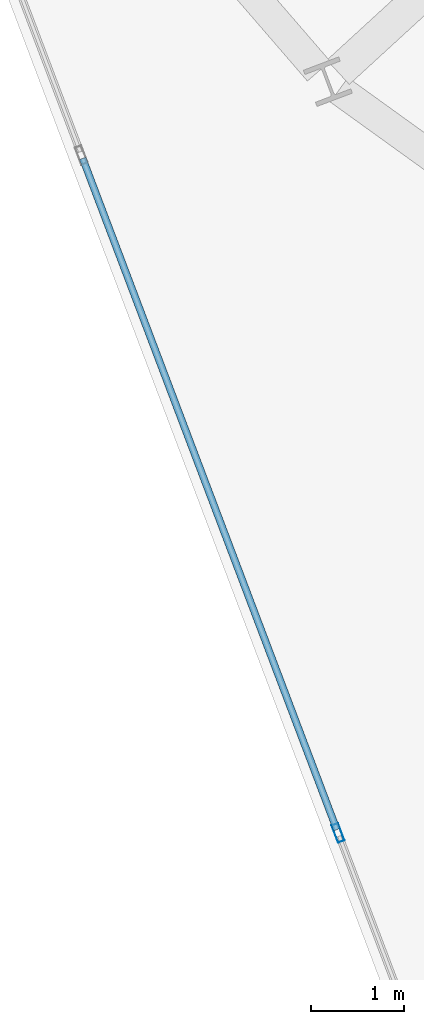
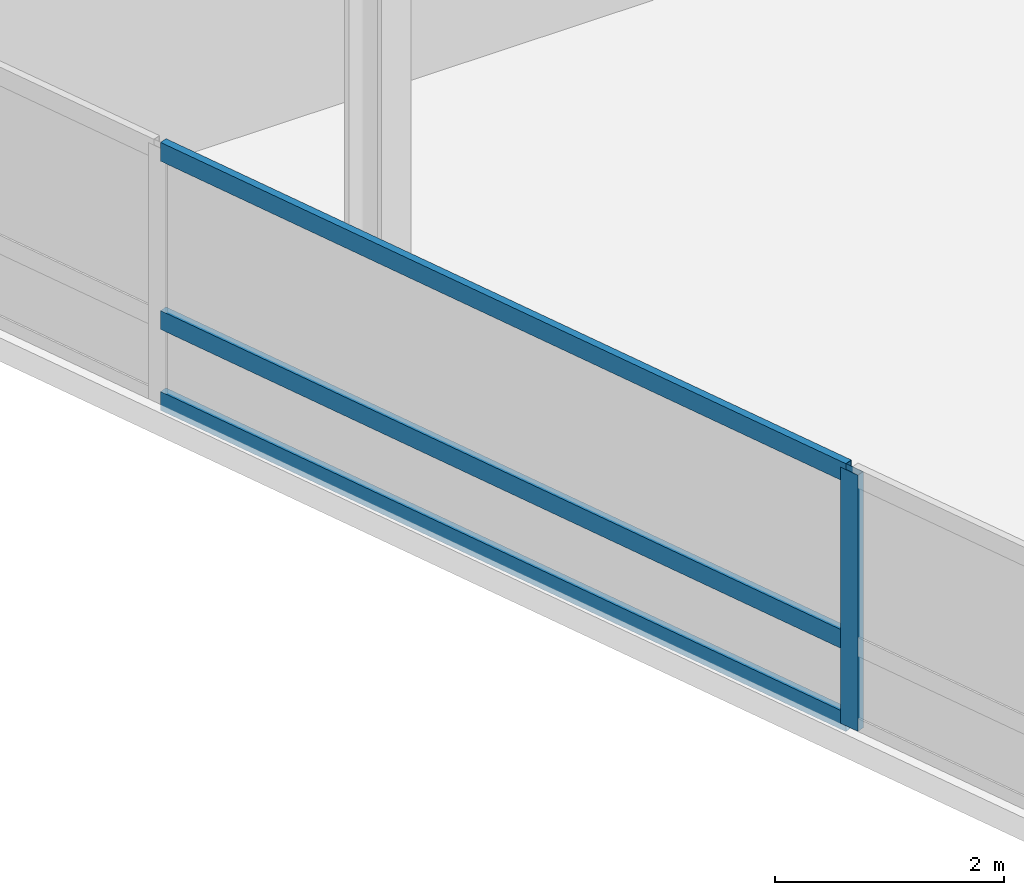
# One storey, part 4 of 24: 4 members, 1 element without a shape of its own.
"""IFC4 building model written with IfcOpenShell, lengths in metres."""

import ifcopenshell
import ifcopenshell.guid

model = None  # the IFC model being written
_history = None  # IfcOwnerHistory: only IFC2X3 demands one
_inside = {}  # id of a spatial element -> (the spatial element, [elements in it])
_under = {}  # id of a project, library or spatial element -> (it, [spatial elements below it])
_declared = {}  # id of a project -> (the project, [libraries it declares])
_typed = {}  # id of a type object -> (the type object, [elements of that type])
_made_of = {}  # id of a material, layer set ... -> (it, [elements and type objects made of it])


def new_model(schema):
    """Start an empty IFC model of exactly this schema.

    Asked for "IFC4X3", IfcOpenShell would pick the latest addendum, in which some entities
    have other attributes; the version numbers below select the first issue.
    IFC2X3 requires an IfcOwnerHistory on every rooted entity: one is made here for all.
    """
    global model, _history
    if schema == "IFC4X3":
        model = ifcopenshell.file(schema_version=(4, 3, 0, 0))
    else:
        model = ifcopenshell.file(schema=schema)
    _inside.clear()
    _under.clear()
    _declared.clear()
    _typed.clear()
    _made_of.clear()
    _history = None
    if model.schema == "IFC2X3":
        org = make("IfcOrganization", Name="unknown")
        user = make(
            "IfcPersonAndOrganization",
            ThePerson=make("IfcPerson", FamilyName="unknown"),
            TheOrganization=org,
        )
        app = make(
            "IfcApplication",
            ApplicationDeveloper=org,
            Version="unknown",
            ApplicationFullName="unknown",
            ApplicationIdentifier="unknown",
        )
        _history = make(
            "IfcOwnerHistory",
            OwningUser=user,
            OwningApplication=app,
            ChangeAction="ADDED",
            CreationDate=0,
        )
    return model


def make(cls, **values):
    """One entity of the class cls with the attributes given. An attribute that is None is left unset."""
    return model.create_entity(
        cls, **{name: value for name, value in values.items() if value is not None}
    )


def rooted(cls, **values):
    """An entity with a GlobalId (a new one), such as an element, a storey or a relation."""
    return make(cls, GlobalId=ifcopenshell.guid.new(), OwnerHistory=_history, **values)


def si_unit(unit_type, name, prefix=None):
    """IfcSIUnit, for example si_unit("LENGTHUNIT", "METRE", prefix="MILLI")."""
    return make("IfcSIUnit", UnitType=unit_type, Prefix=prefix, Name=name)


def assignment(units):
    """IfcUnitAssignment: the units of a project."""
    return None if units is None else make("IfcUnitAssignment", Units=units)


def point(xyz):
    """IfcCartesianPoint."""
    return None if xyz is None else make("IfcCartesianPoint", Coordinates=xyz)


def direction(xyz):
    """IfcDirection."""
    return None if xyz is None else make("IfcDirection", DirectionRatios=xyz)


def frame(location, z_axis=None, x_axis=None):
    """IfcAxis2Placement3D, a coordinate frame: its origin and axes. An axis left out is left unset."""
    return make(
        "IfcAxis2Placement3D",
        Location=point(location),
        Axis=direction(z_axis),
        RefDirection=direction(x_axis),
    )


def frame_2d(location, x_axis=None):
    """IfcAxis2Placement2D, a coordinate frame in the plane: its origin and x axis."""
    return make(
        "IfcAxis2Placement2D", Location=point(location), RefDirection=direction(x_axis)
    )


def origin():
    """The frame at (0, 0, 0) with its axes left unset."""
    return frame((0.0, 0.0, 0.0))


def origin_2d():
    """The frame at (0, 0) in the plane with its x axis left unset."""
    return frame_2d((0.0, 0.0))


def place(relative_to, where):
    """IfcLocalPlacement: puts the frame where relative to a parent placement (None: the world)."""
    return make(
        "IfcLocalPlacement", PlacementRelTo=relative_to, RelativePlacement=where
    )


def context(
    kind, dimensions, precision=None, world=None, true_north=None, identifier=None
):
    """IfcGeometricRepresentationContext, for example the 3D "Model" context."""
    return make(
        "IfcGeometricRepresentationContext",
        ContextIdentifier=identifier,
        ContextType=kind,
        CoordinateSpaceDimension=dimensions,
        Precision=precision,
        WorldCoordinateSystem=world,
        TrueNorth=true_north,
    )


def subcontext(parent, identifier, kind, view, scale=None):
    """IfcGeometricRepresentationSubContext, for example "Body" below "Model"."""
    return make(
        "IfcGeometricRepresentationSubContext",
        ContextIdentifier=identifier,
        ContextType=kind,
        ParentContext=parent,
        TargetScale=scale,
        TargetView=view,
    )


def project(units=None, contexts=None):
    """IfcProject with its units and contexts."""
    return rooted(
        "IfcProject",
        Name="project",
        RepresentationContexts=contexts,
        UnitsInContext=assignment(units),
    )


def spatial(cls, under=None, at=None, **own):
    """A site, building, storey or space (cls), placed at a placement, below another one or the project."""
    s = rooted(cls, ObjectPlacement=at, **own)
    if under is not None:
        _under.setdefault(under.id(), (under, []))[1].append(s)
    return s


def profile(cls, at=None, kind="AREA", **sizes):
    """A parametric profile (cls). Its sizes go by their IFC names, for example OverallWidth=200.0."""
    return make(cls, ProfileType=kind, Position=at, **sizes)


def hollow_rectangle(**sizes):
    """IfcRectangleHollowProfileDef."""
    return profile("IfcRectangleHollowProfileDef", **sizes)


def extrude(swept, where, along, depth):
    """IfcExtrudedAreaSolid: the profile swept, set in the frame where, extruded along a direction by depth."""
    return make(
        "IfcExtrudedAreaSolid",
        SweptArea=swept,
        Position=where,
        ExtrudedDirection=direction(along),
        Depth=depth,
    )


def shape(context_of_items, identifier, shape_type, items):
    """IfcShapeRepresentation: the items that make up one representation, for example the "Body"."""
    return make(
        "IfcShapeRepresentation",
        ContextOfItems=context_of_items,
        RepresentationIdentifier=identifier,
        RepresentationType=shape_type,
        Items=items,
    )


def material(Name=None, Category=None):
    """IfcMaterial."""
    return make("IfcMaterial", Name=Name, Category=Category)


def layer(
    of_material, thickness, ventilated=None, Name=None, Category=None, Priority=None
):
    """IfcMaterialLayer: one layer of a wall or slab, of a material (None: an air gap)."""
    return make(
        "IfcMaterialLayer",
        Material=of_material,
        LayerThickness=thickness,
        IsVentilated=ventilated,
        Name=Name,
        Category=Category,
        Priority=Priority,
    )


def layer_set(layers, Name=None):
    """IfcMaterialLayerSet."""
    return make("IfcMaterialLayerSet", MaterialLayers=layers, LayerSetName=Name)


def material_profile(
    of_material, cross_section, Name=None, Category=None, Priority=None
):
    """IfcMaterialProfile: a cross section and its material."""
    return make(
        "IfcMaterialProfile",
        Name=Name,
        Material=of_material,
        Profile=cross_section,
        Priority=Priority,
        Category=Category,
    )


def profile_set(profiles, Name=None, composite=None):
    """IfcMaterialProfileSet."""
    return make(
        "IfcMaterialProfileSet",
        Name=Name,
        MaterialProfiles=profiles,
        CompositeProfile=composite,
    )


def made_of(thing, what):
    """Note that an element or type object is made of a material, layer set ...; save() writes the relation."""
    if what is not None:
        _made_of.setdefault(what.id(), (what, []))[1].append(thing)
    return thing


def type_object(cls, material=None, **own):
    """A type object (cls), such as IfcWallType, which elements share."""
    return made_of(rooted(cls, **own), material)


def element(
    cls,
    number,
    at=None,
    inside=None,
    cuts=None,
    type_object=None,
    material=None,
    context=None,
    identifier="Body",
    shape_type=None,
    held_by="IfcProductDefinitionShape",
    body=None,
    shapes=None,
    **own,
):
    """One element of the class cls, such as IfcWall. Its Tag is "e" and its number.

    at: its placement. inside: the storey or other place that contains it. cuts: it is an
    opening in that element (IfcRelVoidsElement). A single representation is given by context,
    identifier, shape_type and body (its items); several are given by shapes. held_by: the class
    of the entity that holds the representations. save() writes the other relations.
    """
    e = rooted(cls, Tag="e%d" % number, ObjectPlacement=at, **own)
    if body is not None:
        shapes = [shape(context, identifier, shape_type, body)]
    if shapes is not None:
        e.Representation = make(held_by, Representations=shapes)
    if inside is not None:
        _inside.setdefault(inside.id(), (inside, []))[1].append(e)
    if cuts is not None:
        rooted(
            "IfcRelVoidsElement", RelatingBuildingElement=cuts, RelatedOpeningElement=e
        )
    if type_object is not None:
        _typed.setdefault(type_object.id(), (type_object, []))[1].append(e)
    return made_of(e, material)


def aggregate(whole, parts):
    """IfcRelAggregates: a whole, such as a stair, and the parts it consists of."""
    return rooted("IfcRelAggregates", RelatingObject=whole, RelatedObjects=parts)


def save(model, path):
    """Write the relations noted so far, then the file.

    IfcRelAggregates (storeys below a building ...), IfcRelContainedInSpatialStructure (elements
    in a storey), IfcRelDefinesByType, IfcRelAssociatesMaterial and IfcRelDeclares: one each for
    every whole, place, type object, material and project.
    """
    for whole, parts in _under.values():
        aggregate(whole, parts)
    for where, things in _inside.values():
        rooted(
            "IfcRelContainedInSpatialStructure",
            RelatedElements=things,
            RelatingStructure=where,
        )
    for kind, things in _typed.values():
        rooted("IfcRelDefinesByType", RelatedObjects=things, RelatingType=kind)
    for what, things in _made_of.values():
        rooted("IfcRelAssociatesMaterial", RelatedObjects=things, RelatingMaterial=what)
    for by, libraries in _declared.values():
        rooted("IfcRelDeclares", RelatingContext=by, RelatedDefinitions=libraries)
    model.write(path)


model = new_model("IFC4")

# Units and contexts
model_context = context("Model", 3, precision=1e-05, world=origin(), true_north=direction((0.0, 1.0)))
body_context = subcontext(model_context, "Body", "Model", "MODEL_VIEW")
ifc_project = project(units=[si_unit("LENGTHUNIT", "METRE"), si_unit("AREAUNIT", "SQUARE_METRE"), si_unit("VOLUMEUNIT", "CUBIC_METRE"), si_unit("PLANEANGLEUNIT", "RADIAN"), si_unit("MASSUNIT", "GRAM", prefix="KILO")], contexts=[model_context])

# Site, building, storey
site_placement = place(None, origin())
site = spatial("IfcSite", under=ifc_project, at=site_placement, CompositionType="ELEMENT")
building_placement = place(site_placement, origin())
building = spatial("IfcBuilding", under=site, at=building_placement, Name="Varnelok Gate Tower", CompositionType="ELEMENT")
storey_placement = place(building_placement, frame((0.0, 0.0, 242.300048828125)))
storey = spatial("IfcBuildingStorey", under=building, at=storey_placement, Name="L62", CompositionType="ELEMENT", Elevation=242.300048828125)

# Curtain wall, members
ifc_material = material(Name="Anodized Aluminum Alloy 6063-T6", Category="aluminium")
ifc_layer = layer(ifc_material, 0.179931640625)
ifc_layer_set = layer_set([ifc_layer], Name="Anodized Aluminum Alloy 6063-T6")
curtain_wall_type = type_object("IfcCurtainWallType", Name="CW4-RESIDENCE-VISION", PredefinedType="USERDEFINED", material=ifc_layer_set)
curtain_wall_placement = place(storey_placement, origin())
curtain_wall = element("IfcCurtainWall", 1, at=curtain_wall_placement, inside=storey, type_object=curtain_wall_type, Name="L62 West End Vision Curtain Wall", ObjectType="UNITISED CURTAIN WALL", PredefinedType="USERDEFINED")
ifc_material_profile_1 = material_profile(ifc_material, hollow_rectangle(XDim=0.074951171875, YDim=0.199951171875, WallThickness=0.00390625, at=origin_2d()), Name="ALU200X75X4")
ifc_profile_set_1 = profile_set([ifc_material_profile_1], Name="Anodized Aluminum Alloy 6063-T6")
member_type_1 = type_object("IfcMemberType", Name="CW-MULL-200", PredefinedType="MULLION", material=ifc_profile_set_1)
member_1_placement = place(storey_placement, frame((11.13671875, 6.33544921875, 0.0), z_axis=(0.0, 0.0, 1.0), x_axis=(-0.935221557832, -0.354063042079, 0.0)))
member_1 = element("IfcMember", 2, at=member_1_placement, type_object=member_type_1, Name="CW4 mullion 2", PredefinedType="MULLION", context=body_context, shape_type="SweptSolid", body=[
    extrude(hollow_rectangle(XDim=0.074951171875, YDim=0.199951171875, WallThickness=0.00390625, at=origin_2d()), origin(), (0.0, 0.0, 1.0), 2.72998046875),
])
ifc_material_profile_2 = material_profile(ifc_material, hollow_rectangle(XDim=0.074951171875, YDim=0.199951171875, WallThickness=0.00390625, at=origin_2d()), Name="ALU200X75X4")
ifc_profile_set_2 = profile_set([ifc_material_profile_2], Name="Anodized Aluminum Alloy 6063-T6")
member_type_2 = type_object("IfcMemberType", Name="CW-TRAN-200", PredefinedType="USERDEFINED", material=ifc_profile_set_2)
member_2_placement = place(storey_placement, frame((11.12353515625, 6.370361328125, 0.037353515625), z_axis=(-0.354058714128, 0.935223196328, 0.0), x_axis=(-0.935223196328, -0.354058714128, 0.0)))
member_2 = element("IfcMember", 3, at=member_2_placement, type_object=member_type_2, Name="CW4 transom 2.1", ObjectType="TRANSOM", PredefinedType="USERDEFINED", context=body_context, shape_type="SweptSolid", body=[
    extrude(hollow_rectangle(XDim=0.074951171875, YDim=0.199951171875, WallThickness=0.00390625, at=origin_2d()), origin(), (0.0, 0.0, 1.0), 7.72509765625),
])
member_3_placement = place(storey_placement, frame((11.12353515625, 6.370361328125, 0.89990234375), z_axis=(-0.354058714128, 0.935223196328, 0.0), x_axis=(-0.935223196328, -0.354058714128, 0.0)))
member_3 = element("IfcMember", 4, at=member_3_placement, type_object=member_type_2, Name="CW4 transom 2.2", ObjectType="TRANSOM", PredefinedType="USERDEFINED", context=body_context, shape_type="SweptSolid", body=[
    extrude(hollow_rectangle(XDim=0.074951171875, YDim=0.199951171875, WallThickness=0.00390625, at=origin_2d()), origin(), (0.0, 0.0, 1.0), 7.72509765625),
])
member_4_placement = place(storey_placement, frame((11.12353515625, 6.370361328125, 2.6923828125), z_axis=(-0.354058714128, 0.935223196328, 0.0), x_axis=(-0.935223196328, -0.354058714128, 0.0)))
member_4 = element("IfcMember", 5, at=member_4_placement, type_object=member_type_2, Name="CW4 transom 2.3", ObjectType="TRANSOM", PredefinedType="USERDEFINED", context=body_context, shape_type="SweptSolid", body=[
    extrude(hollow_rectangle(XDim=0.074951171875, YDim=0.199951171875, WallThickness=0.00390625, at=origin_2d()), origin(), (0.0, 0.0, 1.0), 7.72509765625),
])
aggregate(curtain_wall, [member_1, member_2, member_3, member_4])

save(model, "model.ifc")
